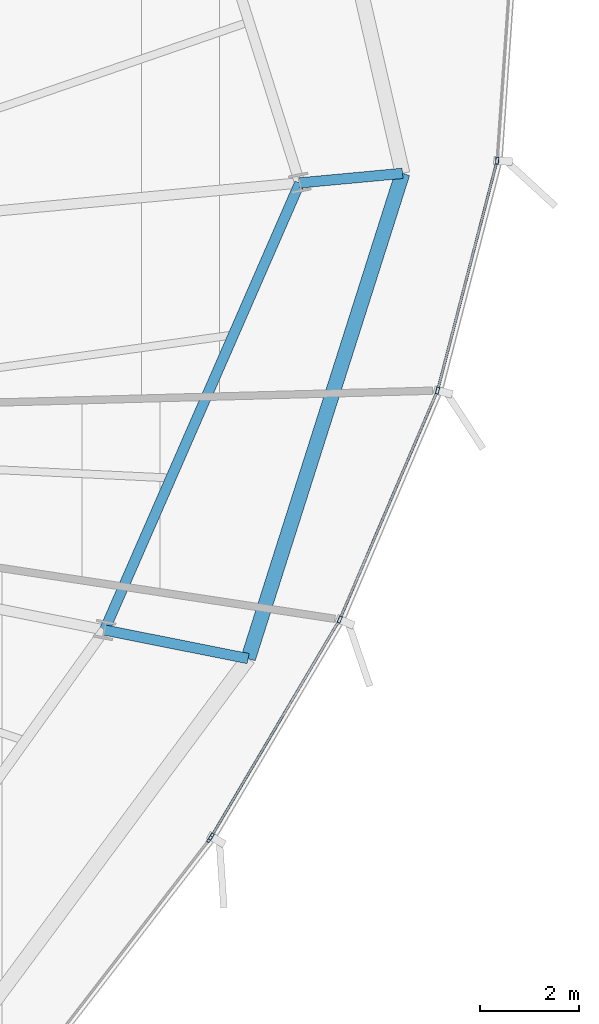
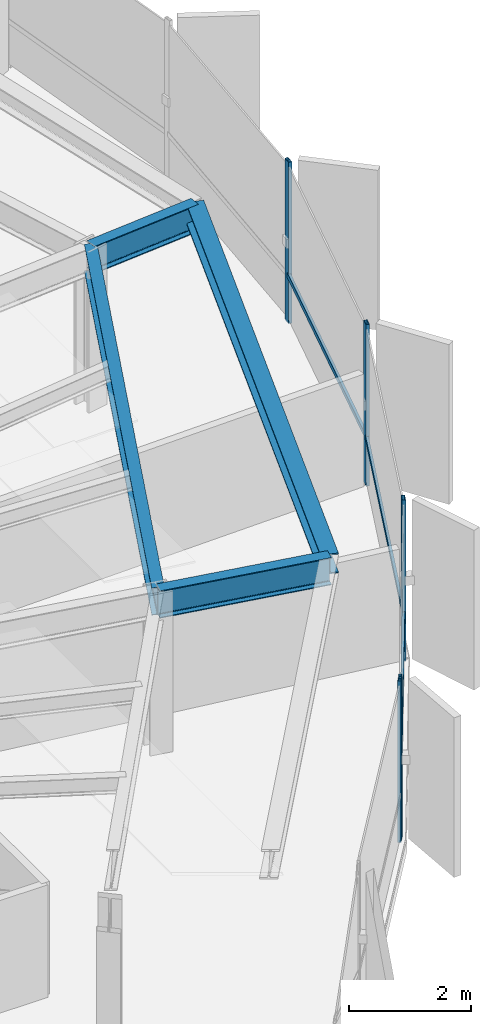
# One storey, part 17 of 35: 8 members, 4 beams, 2 elements without a shape of their own.
"""IFC4 building model written with IfcOpenShell, lengths in metres."""

import ifcopenshell
import ifcopenshell.guid

model = None  # the IFC model being written
_history = None  # IfcOwnerHistory: only IFC2X3 demands one
_inside = {}  # id of a spatial element -> (the spatial element, [elements in it])
_under = {}  # id of a project, library or spatial element -> (it, [spatial elements below it])
_declared = {}  # id of a project -> (the project, [libraries it declares])
_typed = {}  # id of a type object -> (the type object, [elements of that type])
_made_of = {}  # id of a material, layer set ... -> (it, [elements and type objects made of it])


def new_model(schema):
    """Start an empty IFC model of exactly this schema.

    Asked for "IFC4X3", IfcOpenShell would pick the latest addendum, in which some entities
    have other attributes; the version numbers below select the first issue.
    IFC2X3 requires an IfcOwnerHistory on every rooted entity: one is made here for all.
    """
    global model, _history
    if schema == "IFC4X3":
        model = ifcopenshell.file(schema_version=(4, 3, 0, 0))
    else:
        model = ifcopenshell.file(schema=schema)
    _inside.clear()
    _under.clear()
    _declared.clear()
    _typed.clear()
    _made_of.clear()
    _history = None
    if model.schema == "IFC2X3":
        org = make("IfcOrganization", Name="unknown")
        user = make(
            "IfcPersonAndOrganization",
            ThePerson=make("IfcPerson", FamilyName="unknown"),
            TheOrganization=org,
        )
        app = make(
            "IfcApplication",
            ApplicationDeveloper=org,
            Version="unknown",
            ApplicationFullName="unknown",
            ApplicationIdentifier="unknown",
        )
        _history = make(
            "IfcOwnerHistory",
            OwningUser=user,
            OwningApplication=app,
            ChangeAction="ADDED",
            CreationDate=0,
        )
    return model


def make(cls, **values):
    """One entity of the class cls with the attributes given. An attribute that is None is left unset."""
    return model.create_entity(
        cls, **{name: value for name, value in values.items() if value is not None}
    )


def rooted(cls, **values):
    """An entity with a GlobalId (a new one), such as an element, a storey or a relation."""
    return make(cls, GlobalId=ifcopenshell.guid.new(), OwnerHistory=_history, **values)


def si_unit(unit_type, name, prefix=None):
    """IfcSIUnit, for example si_unit("LENGTHUNIT", "METRE", prefix="MILLI")."""
    return make("IfcSIUnit", UnitType=unit_type, Prefix=prefix, Name=name)


def assignment(units):
    """IfcUnitAssignment: the units of a project."""
    return None if units is None else make("IfcUnitAssignment", Units=units)


def point(xyz):
    """IfcCartesianPoint."""
    return None if xyz is None else make("IfcCartesianPoint", Coordinates=xyz)


def direction(xyz):
    """IfcDirection."""
    return None if xyz is None else make("IfcDirection", DirectionRatios=xyz)


def frame(location, z_axis=None, x_axis=None):
    """IfcAxis2Placement3D, a coordinate frame: its origin and axes. An axis left out is left unset."""
    return make(
        "IfcAxis2Placement3D",
        Location=point(location),
        Axis=direction(z_axis),
        RefDirection=direction(x_axis),
    )


def frame_2d(location, x_axis=None):
    """IfcAxis2Placement2D, a coordinate frame in the plane: its origin and x axis."""
    return make(
        "IfcAxis2Placement2D", Location=point(location), RefDirection=direction(x_axis)
    )


def origin():
    """The frame at (0, 0, 0) with its axes left unset."""
    return frame((0.0, 0.0, 0.0))


def origin_2d():
    """The frame at (0, 0) in the plane with its x axis left unset."""
    return frame_2d((0.0, 0.0))


def place(relative_to, where):
    """IfcLocalPlacement: puts the frame where relative to a parent placement (None: the world)."""
    return make(
        "IfcLocalPlacement", PlacementRelTo=relative_to, RelativePlacement=where
    )


def context(
    kind, dimensions, precision=None, world=None, true_north=None, identifier=None
):
    """IfcGeometricRepresentationContext, for example the 3D "Model" context."""
    return make(
        "IfcGeometricRepresentationContext",
        ContextIdentifier=identifier,
        ContextType=kind,
        CoordinateSpaceDimension=dimensions,
        Precision=precision,
        WorldCoordinateSystem=world,
        TrueNorth=true_north,
    )


def subcontext(parent, identifier, kind, view, scale=None):
    """IfcGeometricRepresentationSubContext, for example "Body" below "Model"."""
    return make(
        "IfcGeometricRepresentationSubContext",
        ContextIdentifier=identifier,
        ContextType=kind,
        ParentContext=parent,
        TargetScale=scale,
        TargetView=view,
    )


def project(units=None, contexts=None):
    """IfcProject with its units and contexts."""
    return rooted(
        "IfcProject",
        Name="project",
        RepresentationContexts=contexts,
        UnitsInContext=assignment(units),
    )


def spatial(cls, under=None, at=None, **own):
    """A site, building, storey or space (cls), placed at a placement, below another one or the project."""
    s = rooted(cls, ObjectPlacement=at, **own)
    if under is not None:
        _under.setdefault(under.id(), (under, []))[1].append(s)
    return s


def profile(cls, at=None, kind="AREA", **sizes):
    """A parametric profile (cls). Its sizes go by their IFC names, for example OverallWidth=200.0."""
    return make(cls, ProfileType=kind, Position=at, **sizes)


def hollow_rectangle(**sizes):
    """IfcRectangleHollowProfileDef."""
    return profile("IfcRectangleHollowProfileDef", **sizes)


def i_section(**sizes):
    """IfcIShapeProfileDef."""
    return profile("IfcIShapeProfileDef", **sizes)


def extrude(swept, where, along, depth):
    """IfcExtrudedAreaSolid: the profile swept, set in the frame where, extruded along a direction by depth."""
    return make(
        "IfcExtrudedAreaSolid",
        SweptArea=swept,
        Position=where,
        ExtrudedDirection=direction(along),
        Depth=depth,
    )


def shape(context_of_items, identifier, shape_type, items):
    """IfcShapeRepresentation: the items that make up one representation, for example the "Body"."""
    return make(
        "IfcShapeRepresentation",
        ContextOfItems=context_of_items,
        RepresentationIdentifier=identifier,
        RepresentationType=shape_type,
        Items=items,
    )


def source(mapping_origin, context_of_items, identifier, shape_type, items):
    """IfcRepresentationMap: a shape defined once, which mapped items show again and again."""
    return make(
        "IfcRepresentationMap",
        MappingOrigin=mapping_origin,
        MappedRepresentation=shape(context_of_items, identifier, shape_type, items),
    )


def transform(
    local_origin,
    x_axis=None,
    y_axis=None,
    z_axis=None,
    scale=None,
    scale2=None,
    scale3=None,
    uniform=True,
):
    """IfcCartesianTransformationOperator3D, or its non-uniform kind. x_axis, y_axis, z_axis: its Axis1, 2, 3."""
    if uniform:
        return make(
            "IfcCartesianTransformationOperator3D",
            Axis1=direction(x_axis),
            Axis2=direction(y_axis),
            LocalOrigin=point(local_origin),
            Scale=scale,
            Axis3=direction(z_axis),
        )
    return make(
        "IfcCartesianTransformationOperator3DnonUniform",
        Axis1=direction(x_axis),
        Axis2=direction(y_axis),
        LocalOrigin=point(local_origin),
        Scale=scale,
        Axis3=direction(z_axis),
        Scale2=scale2,
        Scale3=scale3,
    )


def mapped(mapping_source, mapping_target):
    """IfcMappedItem: shows the shape of a source again, moved by a transform."""
    return make(
        "IfcMappedItem", MappingSource=mapping_source, MappingTarget=mapping_target
    )


def material(Name=None, Category=None):
    """IfcMaterial."""
    return make("IfcMaterial", Name=Name, Category=Category)


def layer(
    of_material, thickness, ventilated=None, Name=None, Category=None, Priority=None
):
    """IfcMaterialLayer: one layer of a wall or slab, of a material (None: an air gap)."""
    return make(
        "IfcMaterialLayer",
        Material=of_material,
        LayerThickness=thickness,
        IsVentilated=ventilated,
        Name=Name,
        Category=Category,
        Priority=Priority,
    )


def layer_set(layers, Name=None):
    """IfcMaterialLayerSet."""
    return make("IfcMaterialLayerSet", MaterialLayers=layers, LayerSetName=Name)


def material_profile(
    of_material, cross_section, Name=None, Category=None, Priority=None
):
    """IfcMaterialProfile: a cross section and its material."""
    return make(
        "IfcMaterialProfile",
        Name=Name,
        Material=of_material,
        Profile=cross_section,
        Priority=Priority,
        Category=Category,
    )


def profile_set(profiles, Name=None, composite=None):
    """IfcMaterialProfileSet."""
    return make(
        "IfcMaterialProfileSet",
        Name=Name,
        MaterialProfiles=profiles,
        CompositeProfile=composite,
    )


def made_of(thing, what):
    """Note that an element or type object is made of a material, layer set ...; save() writes the relation."""
    if what is not None:
        _made_of.setdefault(what.id(), (what, []))[1].append(thing)
    return thing


def type_object(cls, material=None, **own):
    """A type object (cls), such as IfcWallType, which elements share."""
    return made_of(rooted(cls, **own), material)


def element(
    cls,
    number,
    at=None,
    inside=None,
    cuts=None,
    type_object=None,
    material=None,
    context=None,
    identifier="Body",
    shape_type=None,
    held_by="IfcProductDefinitionShape",
    body=None,
    shapes=None,
    **own,
):
    """One element of the class cls, such as IfcWall. Its Tag is "e" and its number.

    at: its placement. inside: the storey or other place that contains it. cuts: it is an
    opening in that element (IfcRelVoidsElement). A single representation is given by context,
    identifier, shape_type and body (its items); several are given by shapes. held_by: the class
    of the entity that holds the representations. save() writes the other relations.
    """
    e = rooted(cls, Tag="e%d" % number, ObjectPlacement=at, **own)
    if body is not None:
        shapes = [shape(context, identifier, shape_type, body)]
    if shapes is not None:
        e.Representation = make(held_by, Representations=shapes)
    if inside is not None:
        _inside.setdefault(inside.id(), (inside, []))[1].append(e)
    if cuts is not None:
        rooted(
            "IfcRelVoidsElement", RelatingBuildingElement=cuts, RelatedOpeningElement=e
        )
    if type_object is not None:
        _typed.setdefault(type_object.id(), (type_object, []))[1].append(e)
    return made_of(e, material)


def aggregate(whole, parts):
    """IfcRelAggregates: a whole, such as a stair, and the parts it consists of."""
    return rooted("IfcRelAggregates", RelatingObject=whole, RelatedObjects=parts)


def save(model, path):
    """Write the relations noted so far, then the file.

    IfcRelAggregates (storeys below a building ...), IfcRelContainedInSpatialStructure (elements
    in a storey), IfcRelDefinesByType, IfcRelAssociatesMaterial and IfcRelDeclares: one each for
    every whole, place, type object, material and project.
    """
    for whole, parts in _under.values():
        aggregate(whole, parts)
    for where, things in _inside.values():
        rooted(
            "IfcRelContainedInSpatialStructure",
            RelatedElements=things,
            RelatingStructure=where,
        )
    for kind, things in _typed.values():
        rooted("IfcRelDefinesByType", RelatedObjects=things, RelatingType=kind)
    for what, things in _made_of.values():
        rooted("IfcRelAssociatesMaterial", RelatedObjects=things, RelatingMaterial=what)
    for by, libraries in _declared.values():
        rooted("IfcRelDeclares", RelatingContext=by, RelatedDefinitions=libraries)
    model.write(path)


model = new_model("IFC4")

# Units and contexts
model_context = context("Model", 3, precision=1e-05, world=origin(), true_north=direction((0.0, 1.0)))
body_context = subcontext(model_context, "Body", "Model", "MODEL_VIEW")
ifc_project = project(units=[si_unit("LENGTHUNIT", "METRE"), si_unit("AREAUNIT", "SQUARE_METRE"), si_unit("VOLUMEUNIT", "CUBIC_METRE"), si_unit("PLANEANGLEUNIT", "RADIAN"), si_unit("MASSUNIT", "GRAM", prefix="KILO"), si_unit("THERMODYNAMICTEMPERATUREUNIT", "KELVIN")], contexts=[model_context])

# Site, building, storey
site_placement = place(None, origin())
site = spatial("IfcSite", under=ifc_project, at=site_placement, CompositionType="ELEMENT")
building_placement = place(site_placement, origin())
building = spatial("IfcBuilding", under=site, at=building_placement, Name="Kethvar Cultural Tower", CompositionType="ELEMENT")
storey_placement = place(building_placement, frame((0.0, 0.0, 167.85009765625)))
storey = spatial("IfcBuildingStorey", under=building, at=storey_placement, Name="L43", CompositionType="ELEMENT", Elevation=167.85009765625)

# Beams
ifc_material_1 = material(Name="Steel S355J2", Category="steel")
ifc_material_profile_1 = material_profile(ifc_material_1, i_section(OverallWidth=0.2099609375, OverallDepth=0.550048828125, WebThickness=0.010986328125, FlangeThickness=0.01708984375, FilletRadius=0.02392578125, at=origin_2d()), Name="Steel S355J2 — IPE550")
ifc_profile_set_1 = profile_set([ifc_material_profile_1], Name="Steel S355J2 — IPE550")
beam_type_1 = type_object("IfcBeamType", Name="BM-IPE550", PredefinedType="BEAM", material=ifc_profile_set_1)
shared_shape_1 = source(origin(), body_context, "Body", "SweptSolid", [
    extrude(i_section(OverallWidth=0.2099609375, OverallDepth=0.550048828125, WebThickness=0.010986328125, FlangeThickness=0.01708984375, FilletRadius=0.02392578125, at=origin_2d()), origin(), (0.0, 0.0, 1.0), 9.90625),
])
beam_1_placement = place(storey_placement, frame((67.638671875, 23.65478515625, 2.962890625), z_axis=(0.400138679026, 0.916454602011, 0.0), x_axis=(-0.916454602011, 0.400138679026, 0.0)))
element("IfcBeam", 1, at=beam_1_placement, inside=storey, type_object=beam_type_1, Name="L43 Column Ring Tie Beam CR-16", PredefinedType="BEAM", context=body_context, shape_type="MappedRepresentation", body=[
    mapped(shared_shape_1, transform((0.0, 0.0, 0.0), scale=1.0)),
])
shared_shape_2 = source(origin(), body_context, "Body", "SweptSolid", [
    extrude(i_section(OverallWidth=0.2099609375, OverallDepth=0.550048828125, WebThickness=0.010986328125, FlangeThickness=0.01708984375, FilletRadius=0.02392578125, at=origin_2d()), origin(), (0.0, 0.0, 1.0), 2.09521484375),
])
beam_2_placement = place(storey_placement, frame((71.6025390625, 32.7333984375, 2.962890625), z_axis=(0.995721436007, 0.092405745904, 0.0), x_axis=(-0.092405745904, 0.995721436007, 0.0)))
element("IfcBeam", 2, at=beam_2_placement, inside=storey, type_object=beam_type_1, Name="L43 Perimeter Cantilever Beam RC-01", PredefinedType="BEAM", context=body_context, shape_type="MappedRepresentation", body=[
    mapped(shared_shape_2, transform((0.0, 0.0, 0.0), scale=1.0)),
])
shared_shape_3 = source(origin(), body_context, "Body", "SweptSolid", [
    extrude(i_section(OverallWidth=0.2099609375, OverallDepth=0.550048828125, WebThickness=0.010986328125, FlangeThickness=0.01708984375, FilletRadius=0.02392578125, at=origin_2d()), origin(), (0.0, 0.0, 1.0), 2.97314453125),
])
beam_3_placement = place(storey_placement, frame((67.638671875, 23.65478515625, 2.962890625), z_axis=(0.980797994526, -0.195026392917, 0.0), x_axis=(0.195026392917, 0.980797994526, 0.0)))
element("IfcBeam", 3, at=beam_3_placement, inside=storey, type_object=beam_type_1, Name="L43 Perimeter Cantilever Beam RC-16", PredefinedType="BEAM", context=body_context, shape_type="MappedRepresentation", body=[
    mapped(shared_shape_3, transform((0.0, 0.0, 0.0), scale=1.0)),
])
ifc_material_profile_2 = material_profile(ifc_material_1, i_section(OverallWidth=0.300048828125, OverallDepth=0.39990234375, WebThickness=0.013427734375, FlangeThickness=0.02392578125, FilletRadius=0.027099609375, at=origin_2d()), Name="Steel S355J2 — HEB400")
ifc_profile_set_2 = profile_set([ifc_material_profile_2], Name="Steel S355J2 — HEB400")
beam_type_2 = type_object("IfcBeamType", Name="BM-SP400", PredefinedType="SPANDREL", material=ifc_profile_set_2)
shared_shape_4 = source(origin(), body_context, "Body", "SweptSolid", [
    extrude(i_section(OverallWidth=0.300048828125, OverallDepth=0.39990234375, WebThickness=0.013427734375, FlangeThickness=0.02392578125, FilletRadius=0.027099609375, at=origin_2d()), origin(), (0.0, 0.0, 1.0), 10.338623046875),
])
beam_4_placement = place(storey_placement, frame((70.5546875, 23.074951171875, 3.037841796875), z_axis=(0.30314127496, 0.952945626684, 0.0), x_axis=(-0.952945626684, 0.30314127496, 0.0)))
element("IfcBeam", 4, at=beam_4_placement, inside=storey, type_object=beam_type_2, Name="L43 Perimeter Spandrel Beam SP-16", PredefinedType="SPANDREL", context=body_context, shape_type="MappedRepresentation", body=[
    mapped(shared_shape_4, transform((0.0, 0.0, 0.0), scale=1.0)),
])

# Curtain wall, member
ifc_material_2 = material(Name="Aluminium 6063-T6", Category="aluminium")
ifc_layer = layer(ifc_material_2, 0.179931640625, Name="Aluminium 6063-T6", Category="aluminium")
ifc_layer_set = layer_set([ifc_layer], Name="Aluminium 6063-T6 (180 mm)")
curtain_wall_type = type_object("IfcCurtainWallType", Name="CW-SYS-04-Z34", PredefinedType="NOTDEFINED", material=ifc_layer_set)
curtain_wall_1_placement = place(storey_placement, origin())
curtain_wall_1 = element("IfcCurtainWall", 5, at=curtain_wall_1_placement, inside=storey, type_object=curtain_wall_type, Name="L43 Curtain Wall Run 05", PredefinedType="NOTDEFINED")
ifc_material_profile_3 = material_profile(ifc_material_2, hollow_rectangle(XDim=0.06005859375, YDim=0.139892578125, WallThickness=0.0048828125, at=origin_2d()), Name="Aluminium 6063-T6 — RHS140x60x5")
ifc_profile_set_3 = profile_set([ifc_material_profile_3], Name="Aluminium 6063-T6 — RHS140x60x5")
member_type_1 = type_object("IfcMemberType", Name="CW-SYS-04-Z34-MUL", PredefinedType="MULLION", material=ifc_profile_set_3)
shared_shape_5 = source(origin(), body_context, "Body", "SweptSolid", [
    extrude(hollow_rectangle(XDim=0.06005859375, YDim=0.139892578125, WallThickness=0.0048828125, at=origin_2d()), origin(), (0.0, 0.0, 1.0), 3.239990234375),
])
member_1_placement = place(storey_placement, frame((69.77099609375, 19.407470703125, 0.0), z_axis=(0.0, 0.0, 1.0), x_axis=(-0.791479619394, 0.611195559608, 0.0)))
member_1 = element("IfcMember", 6, at=member_1_placement, type_object=member_type_1, Name="CW-L43-R05 Mullion 7", PredefinedType="MULLION", context=body_context, shape_type="MappedRepresentation", body=[
    mapped(shared_shape_5, transform((0.0, 0.0, 0.0), scale=1.0)),
])
aggregate(curtain_wall_1, [member_1])

# Curtain wall, members
curtain_wall_2_placement = place(storey_placement, origin())
curtain_wall_2 = element("IfcCurtainWall", 7, at=curtain_wall_2_placement, inside=storey, type_object=curtain_wall_type, Name="L43 Curtain Wall Run 06", PredefinedType="NOTDEFINED")
member_2_placement = place(storey_placement, frame((69.80712890625, 19.460693359375, 0.0), z_axis=(0.0, 0.0, 1.0), x_axis=(-0.860795328977, 0.508951276265, 0.0)))
member_2 = element("IfcMember", 8, at=member_2_placement, type_object=member_type_1, Name="CW-L43-R06 Mullion 1", PredefinedType="MULLION", context=body_context, shape_type="MappedRepresentation", body=[
    mapped(shared_shape_5, transform((0.0, 0.0, 0.0), scale=1.0)),
])
member_3_placement = place(storey_placement, frame((72.413818359375, 23.8671875, 0.0), z_axis=(0.0, 0.0, 1.0), x_axis=(-0.919746157051, 0.392513702422, 0.0)))
member_3 = element("IfcMember", 9, at=member_3_placement, type_object=member_type_1, Name="CW-L43-R06 Mullion 2", PredefinedType="MULLION", context=body_context, shape_type="MappedRepresentation", body=[
    mapped(shared_shape_5, transform((0.0, 0.0, 0.0), scale=1.0)),
])
member_4_placement = place(storey_placement, frame((74.3994140625, 28.51708984375, 0.0), z_axis=(0.0, 0.0, 1.0), x_axis=(-0.968060182288, 0.250717936073, 0.0)))
member_4 = element("IfcMember", 10, at=member_4_placement, type_object=member_type_1, Name="CW-L43-R06 Mullion 3", PredefinedType="MULLION", context=body_context, shape_type="MappedRepresentation", body=[
    mapped(shared_shape_5, transform((0.0, 0.0, 0.0), scale=1.0)),
])
member_5_placement = place(storey_placement, frame((75.610107421875, 33.184326171875, 0.0), z_axis=(0.0, 0.0, 1.0), x_axis=(-0.997549418619, 0.069965401539, 0.0)))
member_5 = element("IfcMember", 11, at=member_5_placement, type_object=member_type_1, Name="CW-L43-R06 Mullion 4", PredefinedType="MULLION", context=body_context, shape_type="MappedRepresentation", body=[
    mapped(shared_shape_5, transform((0.0, 0.0, 0.0), scale=1.0)),
])
ifc_material_profile_4 = material_profile(ifc_material_2, hollow_rectangle(XDim=0.050048828125, YDim=0.10009765625, WallThickness=0.00390625, at=origin_2d()), Name="Aluminium 6063-T6 — RHS100x50x4")
ifc_profile_set_4 = profile_set([ifc_material_profile_4], Name="Aluminium 6063-T6 — RHS100x50x4")
member_type_2 = type_object("IfcMemberType", Name="CW-SYS-04-Z34-TRN", PredefinedType="USERDEFINED", material=ifc_profile_set_4)
shared_shape_6 = source(origin(), body_context, "Body", "SweptSolid", [
    extrude(hollow_rectangle(XDim=0.050048828125, YDim=0.10009765625, WallThickness=0.00390625, at=origin_2d()), origin(), (0.0, 0.0, 1.0), 4.986083984375),
])
member_6_placement = place(storey_placement, frame((72.4306640625, 23.906982421875, 0.949951171875), z_axis=(0.392541963647, 0.919734095691, 0.0), x_axis=(-0.919734095691, 0.392541963647, 0.0)))
member_6 = element("IfcMember", 12, at=member_6_placement, type_object=member_type_2, Name="CW-L43-R06 Transom 2", ObjectType="TRANSOM", PredefinedType="USERDEFINED", context=body_context, shape_type="MappedRepresentation", body=[
    mapped(shared_shape_6, transform((0.0, 0.0, 0.0), scale=1.0)),
])
shared_shape_7 = source(origin(), body_context, "Body", "SweptSolid", [
    extrude(hollow_rectangle(XDim=0.050048828125, YDim=0.10009765625, WallThickness=0.00390625, at=origin_2d()), origin(), (0.0, 0.0, 1.0), 5.086669921875),
])
member_7_placement = place(storey_placement, frame((69.809326171875, 19.46435546875, 0.949951171875), z_axis=(0.508944357286, 0.860799419834, 0.0), x_axis=(-0.860799419834, 0.508944357286, 0.0)))
member_7 = element("IfcMember", 13, at=member_7_placement, type_object=member_type_2, Name="CW-L43-R06 Transom 1", ObjectType="TRANSOM", PredefinedType="USERDEFINED", context=body_context, shape_type="MappedRepresentation", body=[
    mapped(shared_shape_7, transform((0.0, 0.0, 0.0), scale=1.0)),
])
shared_shape_8 = source(origin(), body_context, "Body", "SweptSolid", [
    extrude(hollow_rectangle(XDim=0.050048828125, YDim=0.10009765625, WallThickness=0.00390625, at=origin_2d()), origin(), (0.0, 0.0, 1.0), 4.755126953125),
])
member_8_placement = place(storey_placement, frame((74.410400390625, 28.55908203125, 0.949951171875), z_axis=(0.250705569308, 0.968063385072, 0.0), x_axis=(-0.968063385072, 0.250705569308, 0.0)))
member_8 = element("IfcMember", 14, at=member_8_placement, type_object=member_type_2, Name="CW-L43-R06 Transom 3", ObjectType="TRANSOM", PredefinedType="USERDEFINED", context=body_context, shape_type="MappedRepresentation", body=[
    mapped(shared_shape_8, transform((0.0, 0.0, 0.0), scale=1.0)),
])
aggregate(curtain_wall_2, [member_2, member_3, member_4, member_5, member_7, member_6, member_8])

save(model, "model.ifc")
